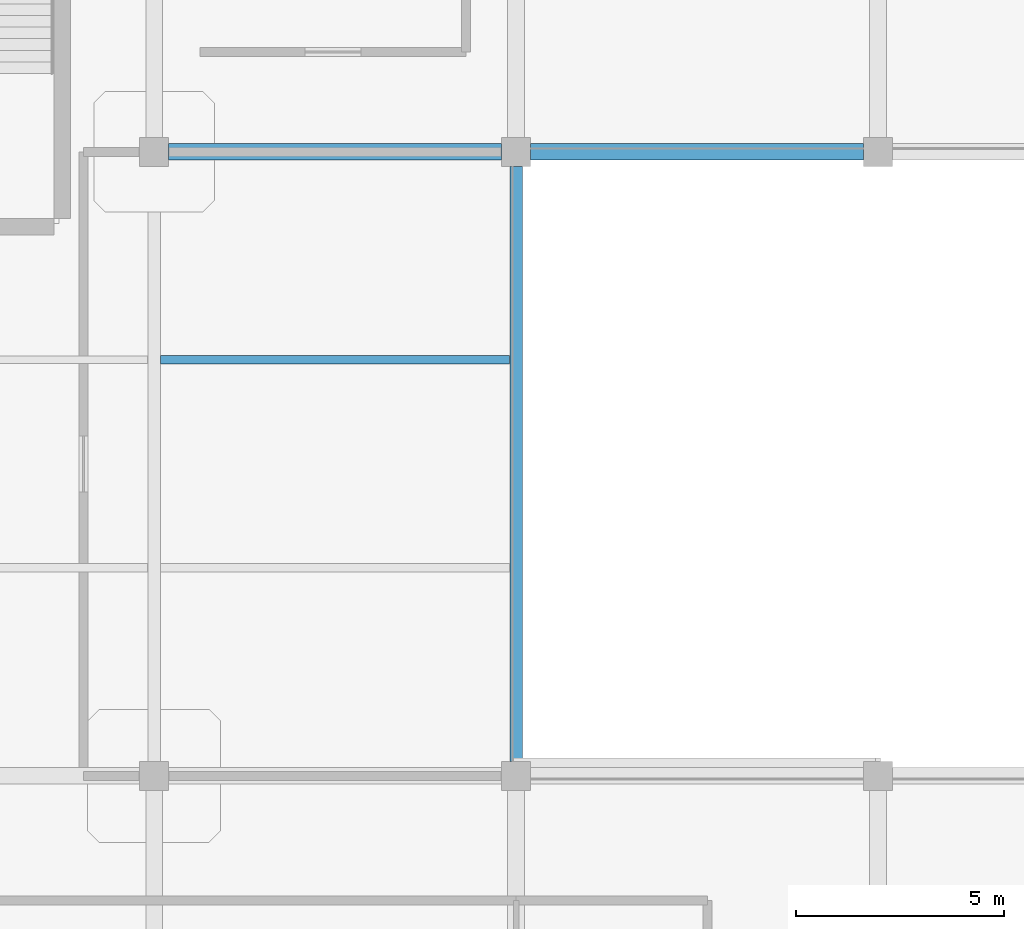
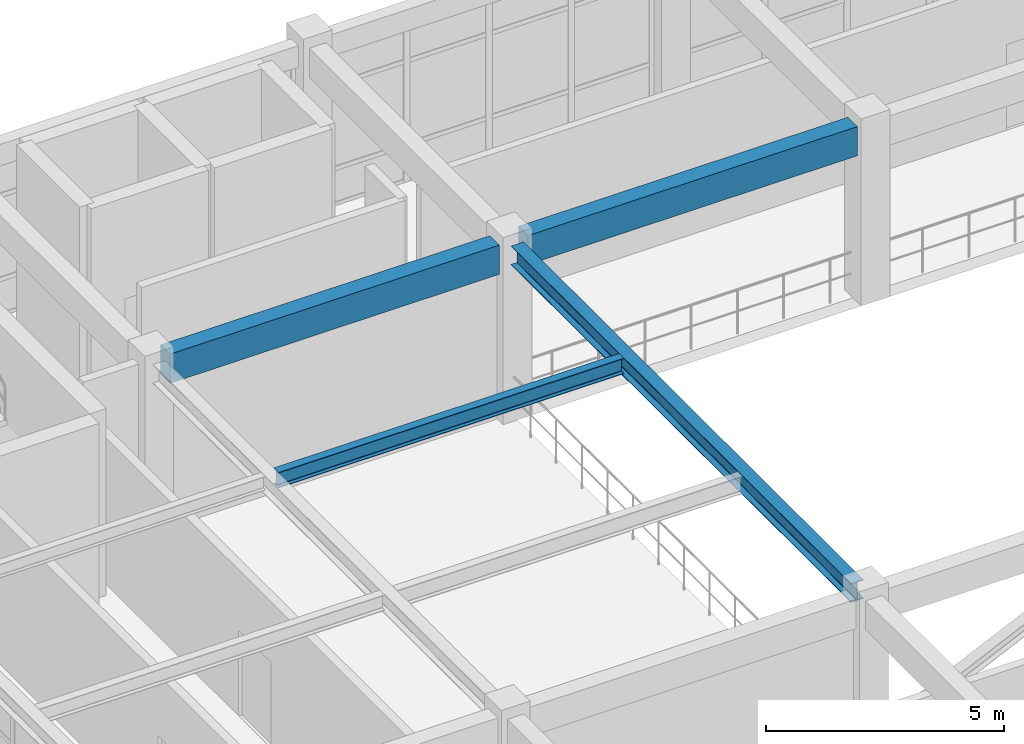
# One storey, part 20 of 76: 4 beams.
"""IFC4 building model written with IfcOpenShell, lengths in metres."""

from ifc_helpers import new_model, si_unit, derived_unit, direction, frame, origin, origin_2d, place, context, subcontext, project, spatial, rectangle, i_section, extrude, material, material_profile, profile_set, type_object, element, save


model = new_model("IFC4")

# Units and contexts
model_context = context("Model", 3, precision=1e-05, world=origin(), true_north=direction((0.0, 1.0)))
body_context = subcontext(model_context, "Body", "Model", "MODEL_VIEW")
ifc_project = project(units=[si_unit("LENGTHUNIT", "METRE"), si_unit("AREAUNIT", "SQUARE_METRE"), si_unit("VOLUMEUNIT", "CUBIC_METRE"), si_unit("PLANEANGLEUNIT", "RADIAN"), si_unit("MASSUNIT", "GRAM", prefix="KILO"), derived_unit("THERMALTRANSMITTANCEUNIT", [(si_unit("MASSUNIT", "GRAM", prefix="KILO"), 1), (si_unit("TIMEUNIT", "SECOND"), -3), (si_unit("THERMODYNAMICTEMPERATUREUNIT", "KELVIN"), -1)])], contexts=[model_context])

# Site, building, storey
site_placement = place(None, origin())
site = spatial("IfcSite", under=ifc_project, at=site_placement, CompositionType="ELEMENT")
building_placement = place(site_placement, origin())
building = spatial("IfcBuilding", under=site, at=building_placement, Name="Qinzheling Arcade Emporium", CompositionType="ELEMENT")
storey_placement = place(building_placement, frame((0.0, 0.0, 26.699951171875)))
storey = spatial("IfcBuildingStorey", under=building, at=storey_placement, Name="L06", CompositionType="ELEMENT", Elevation=26.699951171875)

# Beams
ifc_material_1 = material(Name="Structural steel Q355B", Category="steel")
ifc_material_profile_1 = material_profile(ifc_material_1, i_section(OverallWidth=0.300048828125, OverallDepth=0.488037109375, WebThickness=0.010986328125, FlangeThickness=0.01806640625, FilletRadius=0.02197265625, at=origin_2d()), Name="HM 488x300x11x18", Category="steel")
ifc_profile_set_1 = profile_set([ifc_material_profile_1], Name="Structural steel Q355B")
beam_type_1 = type_object("IfcBeamType", Name="Atrium Bridge Girder HM488 Q355B", PredefinedType="USERDEFINED", material=ifc_profile_set_1)
beam_1_placement = place(storey_placement, frame((52.199951171875, 50.75, 4.276123046875), z_axis=(0.0, 1.0, 0.0), x_axis=(-1.0, 0.0, 0.0)))
element("IfcBeam", 1, at=beam_1_placement, inside=storey, type_object=beam_type_1, Name="Beam BM-L06-Y-7-G", ObjectType="TRANSFER_GIRDER", PredefinedType="USERDEFINED", context=body_context, shape_type="SweptSolid", body=[
    extrude(i_section(OverallWidth=0.300048828125, OverallDepth=0.488037109375, WebThickness=0.010986328125, FlangeThickness=0.01806640625, FilletRadius=0.02197265625, at=origin_2d()), origin(), (0.0, 0.0, 1.0), 14.300048828125),
])
ifc_material_2 = material(Name="Concrete C40", Category="concrete")
ifc_material_profile_2 = material_profile(ifc_material_2, rectangle(XDim=0.39990234375, YDim=0.75, at=origin_2d()), Name="RC 400x750", Category="concrete")
ifc_profile_set_2 = profile_set([ifc_material_profile_2], Name="Concrete C40")
beam_type_2 = type_object("IfcBeamType", Name="RC Interior Tie Beam 400x750 C40", PredefinedType="BEAM", material=ifc_profile_set_2)
for number, where, z_axis, x_axis, name in (
    (2, (43.85009765625, 65.39990234375, 4.14501953125), (1.0, 0.0, 0.0), (0.0, 1.0, 0.0), "Beam BM-L06-X-H-6"),
    (3, (52.550048828125, 65.39990234375, 4.14501953125), (1.0, 0.0, 0.0), (0.0, 1.0, 0.0), "Beam BM-L06-X-H-7"),
):
    element("IfcBeam", number, at=place(storey_placement, frame(where, z_axis=z_axis, x_axis=x_axis)), inside=storey, type_object=beam_type_2, Name=name, PredefinedType="BEAM", context=body_context, shape_type="SweptSolid", body=[
        extrude(rectangle(XDim=0.39990234375, YDim=0.75, at=origin_2d()), origin(), (0.0, 0.0, 1.0), 8.0),
    ])
ifc_material_profile_3 = material_profile(ifc_material_1, i_section(OverallWidth=0.199951171875, OverallDepth=0.39990234375, WebThickness=0.008056640625, FlangeThickness=0.012939453125, FilletRadius=0.01611328125, at=origin_2d()), Name="HN 400x200x8x13", Category="steel")
ifc_profile_set_3 = profile_set([ifc_material_profile_3], Name="Structural steel Q355B")
beam_type_3 = type_object("IfcBeamType", Name="Storm Eave Outlooker Joist HN400 Q355B", PredefinedType="JOIST", material=ifc_profile_set_3)
beam_2_placement = place(storey_placement, frame((43.655029296875, 60.39990234375, 4.320068359375), z_axis=(1.0, 0.0, 0.0), x_axis=(0.0, 1.0, 0.0)))
element("IfcBeam", 4, at=beam_2_placement, inside=storey, type_object=beam_type_3, Name="Secondary Joist JST-L06-6-2", PredefinedType="JOIST", context=body_context, shape_type="SweptSolid", body=[
    extrude(i_section(OverallWidth=0.199951171875, OverallDepth=0.39990234375, WebThickness=0.008056640625, FlangeThickness=0.012939453125, FilletRadius=0.01611328125, at=origin_2d()), origin(), (0.0, 0.0, 1.0), 8.389892578125),
])

save(model, "model.ifc")
